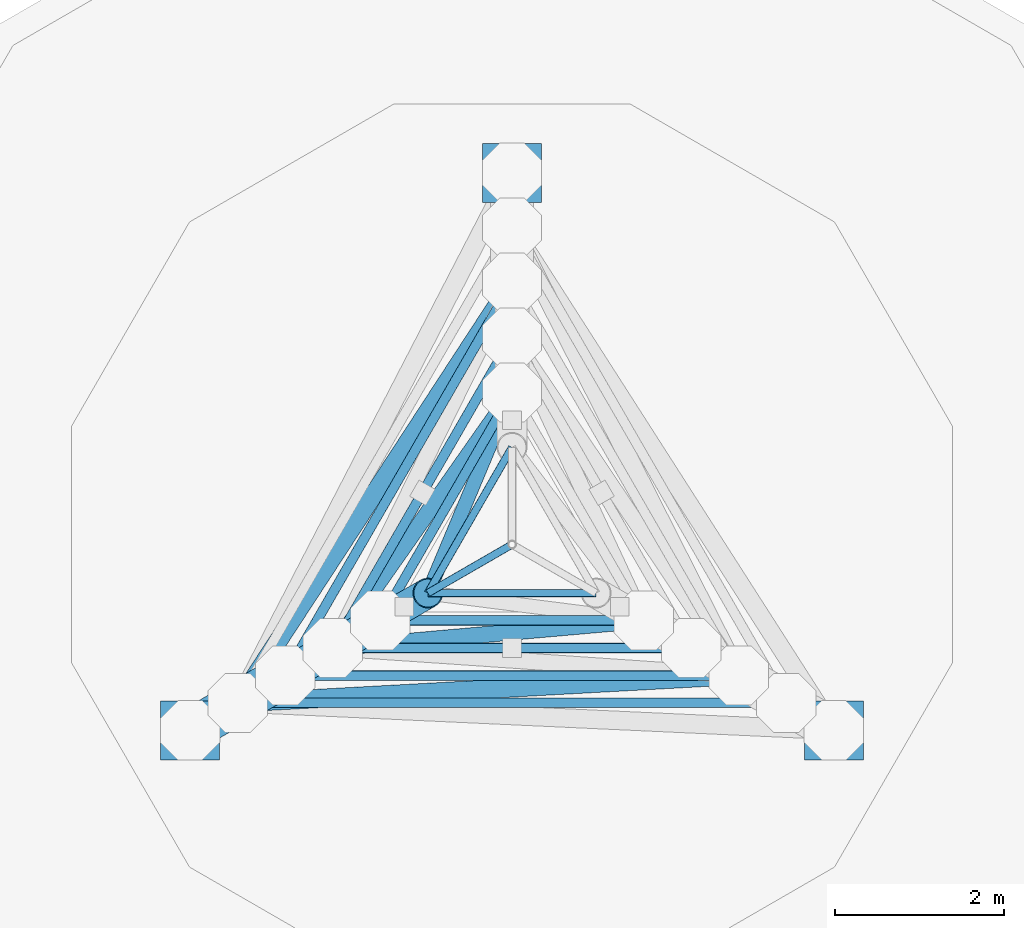
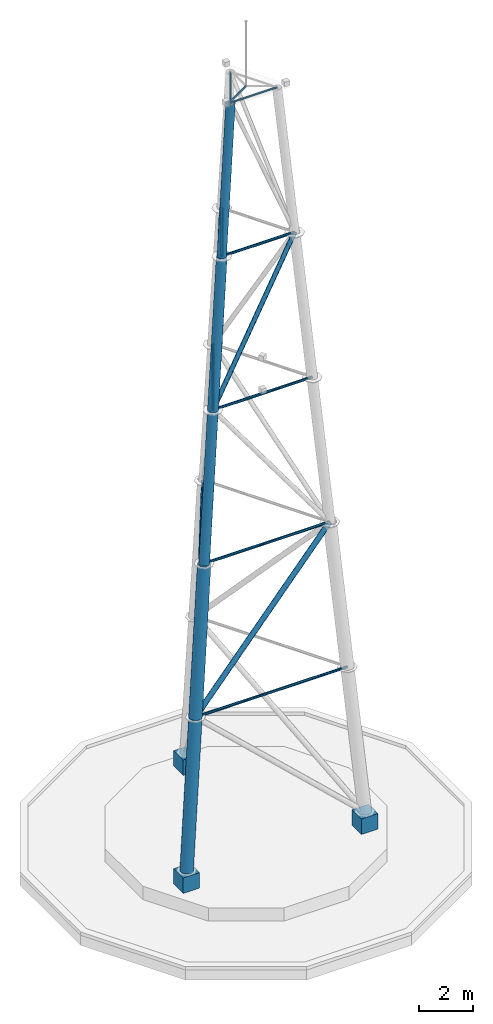
# One storey, part 1 of 7: 20 members, 3 columns.
"""IFC4 building model written with IfcOpenShell, lengths in metres."""

from ifc_helpers import new_model, si_unit, direction, frame, origin, origin_2d, place, context, subcontext, project, spatial, rectangle, hollow_circle, extrude, material, material_profile, profile_set, type_object, element, save


model = new_model("IFC4")

# Units and contexts
model_context = context("Model", 3, precision=1e-05, world=origin(), true_north=direction((0.0, 1.0)))
body_context = subcontext(model_context, "Body", "Model", "MODEL_VIEW")
ifc_project = project(units=[si_unit("LENGTHUNIT", "METRE"), si_unit("AREAUNIT", "SQUARE_METRE"), si_unit("VOLUMEUNIT", "CUBIC_METRE"), si_unit("PLANEANGLEUNIT", "RADIAN"), si_unit("MASSUNIT", "GRAM", prefix="KILO")], contexts=[model_context])

# Site, building, storey
site_placement = place(None, origin())
site = spatial("IfcSite", under=ifc_project, at=site_placement, CompositionType="ELEMENT")
building_placement = place(site_placement, origin())
building = spatial("IfcBuilding", under=site, at=building_placement, Name="Trine Commons Tower", CompositionType="ELEMENT")
storey_placement = place(building_placement, frame((0.0, 0.0, 314.10009765625)))
storey = spatial("IfcBuildingStorey", under=building, at=storey_placement, Name="ROOF MAST BASE", CompositionType="ELEMENT", Elevation=314.10009765625)

# Columns
ifc_material_1 = material(Name="Concrete C50/60", Category="concrete")
ifc_material_profile_1 = material_profile(ifc_material_1, rectangle(XDim=0.699951171875, YDim=0.699951171875, at=origin_2d()), Name="RC 700x700")
ifc_profile_set_1 = profile_set([ifc_material_profile_1], Name="Concrete C50/60")
column_type = type_object("IfcColumnType", Name="RC column 700x700, C50/60", PredefinedType="COLUMN", material=ifc_profile_set_1)
for number, where, z_axis, x_axis, name in (
    (1, (80.0, 66.89990234375, 1.0498046875), (0.0, 0.0, 1.0), (1.0, 0.0, 0.0), "Mast pedestal 1"),
    (2, (76.189453125, 60.300048828125, 1.0498046875), (0.0, 0.0, 1.0), (1.0, 0.0, 0.0), "Mast pedestal 2"),
    (3, (83.810546875, 60.300048828125, 1.0498046875), (0.0, 0.0, 1.0), (1.0, 0.0, 0.0), "Mast pedestal 3"),
):
    element("IfcColumn", number, at=place(storey_placement, frame(where, z_axis=z_axis, x_axis=x_axis)), inside=storey, type_object=column_type, Name=name, PredefinedType="COLUMN", context=body_context, shape_type="SweptSolid", body=[
        extrude(rectangle(XDim=0.699951171875, YDim=0.699951171875, at=origin_2d()), origin(), (0.0, 0.0, 1.0), 0.7001953125),
    ])

# Members
ifc_material_2 = material(Name="Structural steel ASTM A500 Gr C", Category="steel")
ifc_material_profile_2 = material_profile(ifc_material_2, hollow_circle(Radius=0.084228515625, WallThickness=0.006591796875, at=origin_2d()), Name="HSS6.625X0.280")
ifc_profile_set_2 = profile_set([ifc_material_profile_2], Name="Structural steel ASTM A500 Gr C")
member_type_1 = type_object("IfcMemberType", Name="Steel brace HSS6.625X0.280, ASTM A500 Gr C", PredefinedType="BRACE", material=ifc_profile_set_2)
member_1_placement = place(storey_placement, frame((80.0, 64.300048828125, 27.949951171875), z_axis=(-0.14149319871, -0.337446883318, 0.930649921108), x_axis=(0.922210740231, -0.38668766544, 0.0)))
element("IfcMember", 4, at=member_1_placement, inside=storey, type_object=member_type_1, Name="MAST brace A panel 5", PredefinedType="BRACE", context=body_context, shape_type="SweptSolid", body=[
    extrude(hollow_circle(Radius=0.084228515625, WallThickness=0.006591796875, at=origin_2d()), origin(), (0.0, 0.0, 1.0), 7.0380859375),
])
ifc_material_profile_3 = material_profile(ifc_material_2, hollow_circle(Radius=0.09521484375, WallThickness=0.0087890625, at=origin_2d()), Name="HSS7.500X0.375")
ifc_profile_set_3 = profile_set([ifc_material_profile_3], Name="Structural steel ASTM A500 Gr C")
member_type_2 = type_object("IfcMemberType", Name="Steel brace HSS7.500X0.375, ASTM A500 Gr C", PredefinedType="BRACE", material=ifc_profile_set_3)
member_2_placement = place(storey_placement, frame((77.878173828125, 61.27490234375, 21.39990234375), z_axis=(0.282141777572, 0.402257365769, 0.870967869116), x_axis=(-0.818694562403, 0.574229234271, 0.0)))
element("IfcMember", 5, at=member_2_placement, inside=storey, type_object=member_type_2, Name="MAST brace A panel 4", PredefinedType="BRACE", context=body_context, shape_type="SweptSolid", body=[
    extrude(hollow_circle(Radius=0.09521484375, WallThickness=0.0087890625, at=origin_2d()), origin(), (0.0, 0.0, 1.0), 7.5205078125),
])
member_3_placement = place(storey_placement, frame((77.878173828125, 61.27490234375, 21.39990234375), z_axis=(0.489424998761, 0.043241847861, 0.870972624818), x_axis=(-0.088009508706, 0.996119634571, 0.0)))
element("IfcMember", 6, at=member_3_placement, inside=storey, type_object=member_type_2, Name="MAST brace B panel 4", PredefinedType="BRACE", context=body_context, shape_type="SweptSolid", body=[
    extrude(hollow_circle(Radius=0.09521484375, WallThickness=0.0087890625, at=origin_2d()), origin(), (0.0, 0.0, 1.0), 7.520263671875),
])
ifc_material_profile_4 = material_profile(ifc_material_2, hollow_circle(Radius=0.109619140625, WallThickness=0.01171875, at=origin_2d()), Name="HSS8.625X0.500")
ifc_profile_set_4 = profile_set([ifc_material_profile_4], Name="Structural steel ASTM A500 Gr C")
member_type_3 = type_object("IfcMemberType", Name="Steel brace HSS8.625X0.500, ASTM A500 Gr C", PredefinedType="BRACE", material=ifc_profile_set_4)
for number, where, z_axis, x_axis, name in (
    (7, (76.75244140625, 60.625, 8.2998046875), (0.367239853963, 0.562593124647, 0.740691478121), (-0.837384897616, 0.54661369654, 0.0), "MAST brace A panel 2"),
    (8, (76.75244140625, 60.625, 8.2998046875), (0.670841815879, 0.036745975428, 0.740689537768), (-0.054693926302, 0.998503166958, 0.0), "MAST brace B panel 2"),
):
    element("IfcMember", number, at=place(storey_placement, frame(where, z_axis=z_axis, x_axis=x_axis)), inside=storey, type_object=member_type_3, Name=name, PredefinedType="BRACE", context=body_context, shape_type="SweptSolid", body=[
        extrude(hollow_circle(Radius=0.109619140625, WallThickness=0.01171875, at=origin_2d()), origin(), (0.0, 0.0, 1.0), 8.84326171875),
    ])
ifc_material_profile_5 = material_profile(ifc_material_2, hollow_circle(Radius=0.177734375, WallThickness=0.01171875, at=origin_2d()), Name="HSS14.000X0.500")
ifc_profile_set_5 = profile_set([ifc_material_profile_5], Name="Structural steel ASTM A500 Gr C")
member_type_4 = type_object("IfcMemberType", Name="Steel chord HSS14.000X0.500, ASTM A500 Gr C", PredefinedType="CHORD", material=ifc_profile_set_5)
member_4_placement = place(storey_placement, frame((78.441162109375, 61.60009765625, 27.949951171875), z_axis=(0.08553160417, 0.049367981418, 0.995111625447), x_axis=(-0.49989585183, 0.866085525409, 0.0)))
element("IfcMember", 9, at=member_4_placement, inside=storey, type_object=member_type_4, Name="MAST leg B panel 5", PredefinedType="CHORD", context=body_context, shape_type="SweptSolid", body=[
    extrude(hollow_circle(Radius=0.177734375, WallThickness=0.01171875, at=origin_2d()), origin(), (0.0, 0.0, 1.0), 6.582275390625),
])
ifc_material_profile_6 = material_profile(ifc_material_2, hollow_circle(Radius=0.203125, WallThickness=0.01171875, at=origin_2d()), Name="HSS16.000X0.500")
ifc_profile_set_6 = profile_set([ifc_material_profile_6], Name="Structural steel ASTM A500 Gr C")
member_type_5 = type_object("IfcMemberType", Name="Steel chord HSS16.000X0.500, ASTM A500 Gr C", PredefinedType="CHORD", material=ifc_profile_set_6)
for number, where, z_axis, x_axis, name in (
    (10, (77.315185546875, 60.949951171875, 14.849853515625), (0.08553160417, 0.049367981418, 0.995111625447), (-0.49989585183, 0.866085525409, 0.0), "MAST leg B panel 3"),
    (11, (77.878173828125, 61.27490234375, 21.39990234375), (0.085531447495, 0.049404981814, 0.995109802616), (-0.50017749597, 0.865922902183, 0.0), "MAST leg B panel 4"),
):
    element("IfcMember", number, at=place(storey_placement, frame(where, z_axis=z_axis, x_axis=x_axis)), inside=storey, type_object=member_type_5, Name=name, PredefinedType="CHORD", context=body_context, shape_type="SweptSolid", body=[
        extrude(hollow_circle(Radius=0.203125, WallThickness=0.01171875, at=origin_2d()), origin(), (0.0, 0.0, 1.0), 6.582275390625),
    ])
ifc_material_profile_7 = material_profile(ifc_material_2, hollow_circle(Radius=0.25390625, WallThickness=0.01171875, at=origin_2d()), Name="HSS20.000X0.500")
ifc_profile_set_7 = profile_set([ifc_material_profile_7], Name="Structural steel ASTM A500 Gr C")
member_type_6 = type_object("IfcMemberType", Name="Steel chord HSS20.000X0.500, ASTM A500 Gr C", PredefinedType="CHORD", material=ifc_profile_set_7)
member_5_placement = place(storey_placement, frame((76.189453125, 60.300048828125, 1.75), z_axis=(0.085534761222, 0.049369803637, 0.995111263684), x_axis=(-0.49989585183, 0.866085525409, 0.0)))
element("IfcMember", 12, at=member_5_placement, inside=storey, type_object=member_type_6, Name="MAST leg B panel 1", PredefinedType="CHORD", context=body_context, shape_type="SweptSolid", body=[
    extrude(hollow_circle(Radius=0.25390625, WallThickness=0.01171875, at=origin_2d()), origin(), (0.0, 0.0, 1.0), 6.58203125),
])
member_6_placement = place(storey_placement, frame((76.75244140625, 60.625, 8.2998046875), z_axis=(0.085494784444, 0.049368138002, 0.995114781713), x_axis=(-0.500058503878, 0.86599162392, 0.0)))
element("IfcMember", 13, at=member_6_placement, inside=storey, type_object=member_type_6, Name="MAST leg B panel 2", PredefinedType="CHORD", context=body_context, shape_type="SweptSolid", body=[
    extrude(hollow_circle(Radius=0.25390625, WallThickness=0.01171875, at=origin_2d()), origin(), (0.0, 0.0, 1.0), 6.582275390625),
])
ifc_material_profile_8 = material_profile(ifc_material_2, hollow_circle(Radius=0.04443359375, WallThickness=0.005126953125, at=origin_2d()), Name="HSS3.500X0.216")
ifc_profile_set_8 = profile_set([ifc_material_profile_8], Name="Structural steel ASTM A500 Gr C")
member_type_7 = type_object("IfcMemberType", Name="Steel strut HSS3.500X0.216, ASTM A500 Gr C", PredefinedType="STRUT", material=ifc_profile_set_8)
for number, where, z_axis, x_axis, name in (
    (14, (80.0, 63.64990234375, 34.5), (-0.500001870701, -0.866024323732, 0.0), (0.866024323732, -0.500001870701, 0.0), "MAST horizontal A level 5"),
    (15, (79.004150390625, 61.925048828125, 34.5), (1.0, 0.0, 0.0), (0.0, 1.0, 0.0), "MAST horizontal B level 5"),
):
    element("IfcMember", number, at=place(storey_placement, frame(where, z_axis=z_axis, x_axis=x_axis)), inside=storey, type_object=member_type_7, Name=name, PredefinedType="STRUT", context=body_context, shape_type="SweptSolid", body=[
        extrude(hollow_circle(Radius=0.04443359375, WallThickness=0.005126953125, at=origin_2d()), origin(), (0.0, 0.0, 1.0), 1.99169921875),
    ])
member_7_placement = place(storey_placement, frame((79.004150390625, 61.925048828125, 34.555419921875), z_axis=(0.86602648383, 0.499998129301, 0.0), x_axis=(-0.499998129301, 0.86602648383, 0.0)))
element("IfcMember", 16, at=member_7_placement, inside=storey, type_object=member_type_7, Name="MAST hub arm B", PredefinedType="STRUT", context=body_context, shape_type="SweptSolid", body=[
    extrude(hollow_circle(Radius=0.04443359375, WallThickness=0.005126953125, at=origin_2d()), origin(), (0.0, 0.0, 1.0), 1.14990234375),
])
ifc_material_profile_9 = material_profile(ifc_material_2, hollow_circle(Radius=0.05712890625, WallThickness=0.005615234375, at=origin_2d()), Name="HSS4.500X0.237")
ifc_profile_set_9 = profile_set([ifc_material_profile_9], Name="Structural steel ASTM A500 Gr C")
member_type_8 = type_object("IfcMemberType", Name="Steel strut HSS4.500X0.237, ASTM A500 Gr C", PredefinedType="STRUT", material=ifc_profile_set_9)
member_8_placement = place(storey_placement, frame((76.75244140625, 60.625, 8.2998046875), z_axis=(1.0, 0.0, 0.0), x_axis=(0.0, 1.0, 0.0)))
element("IfcMember", 17, at=member_8_placement, inside=storey, type_object=member_type_8, Name="MAST horizontal B level 1", PredefinedType="STRUT", context=body_context, shape_type="SweptSolid", body=[
    extrude(hollow_circle(Radius=0.05712890625, WallThickness=0.005615234375, at=origin_2d()), origin(), (0.0, 0.0, 1.0), 6.4951171875),
])
for number, where, z_axis, x_axis, name in (
    (18, (80.0, 65.60009765625, 14.849853515625), (-0.500007141444, -0.86602128063, 0.0), (0.86602128063, -0.500007141444, 0.0), "MAST horizontal A level 2"),
    (19, (77.315185546875, 60.949951171875, 14.849853515625), (1.0, 0.0, 0.0), (0.0, 1.0, 0.0), "MAST horizontal B level 2"),
):
    element("IfcMember", number, at=place(storey_placement, frame(where, z_axis=z_axis, x_axis=x_axis)), inside=storey, type_object=member_type_8, Name=name, PredefinedType="STRUT", context=body_context, shape_type="SweptSolid", body=[
        extrude(hollow_circle(Radius=0.05712890625, WallThickness=0.005615234375, at=origin_2d()), origin(), (0.0, 0.0, 1.0), 5.36962890625),
    ])
for number, where, z_axis, x_axis, name in (
    (20, (80.0, 64.949951171875, 21.39990234375), (-0.500006316855, -0.866021756716, 0.0), (0.866021756716, -0.500006316855, 0.0), "MAST horizontal A level 3"),
    (21, (77.878173828125, 61.27490234375, 21.39990234375), (1.0, 0.0, 0.0), (0.0, 1.0, 0.0), "MAST horizontal B level 3"),
):
    element("IfcMember", number, at=place(storey_placement, frame(where, z_axis=z_axis, x_axis=x_axis)), inside=storey, type_object=member_type_8, Name=name, PredefinedType="STRUT", context=body_context, shape_type="SweptSolid", body=[
        extrude(hollow_circle(Radius=0.05712890625, WallThickness=0.005615234375, at=origin_2d()), origin(), (0.0, 0.0, 1.0), 4.24365234375),
    ])
for number, where, z_axis, x_axis, name in (
    (22, (80.0, 64.300048828125, 27.949951171875), (-0.500004896655, -0.866022576681, 0.0), (0.866022576681, -0.500004896655, 0.0), "MAST horizontal A level 4"),
    (23, (78.441162109375, 61.60009765625, 27.949951171875), (1.0, 0.0, 0.0), (0.0, 1.0, 0.0), "MAST horizontal B level 4"),
):
    element("IfcMember", number, at=place(storey_placement, frame(where, z_axis=z_axis, x_axis=x_axis)), inside=storey, type_object=member_type_8, Name=name, PredefinedType="STRUT", context=body_context, shape_type="SweptSolid", body=[
        extrude(hollow_circle(Radius=0.05712890625, WallThickness=0.005615234375, at=origin_2d()), origin(), (0.0, 0.0, 1.0), 3.11767578125),
    ])

save(model, "model.ifc")
